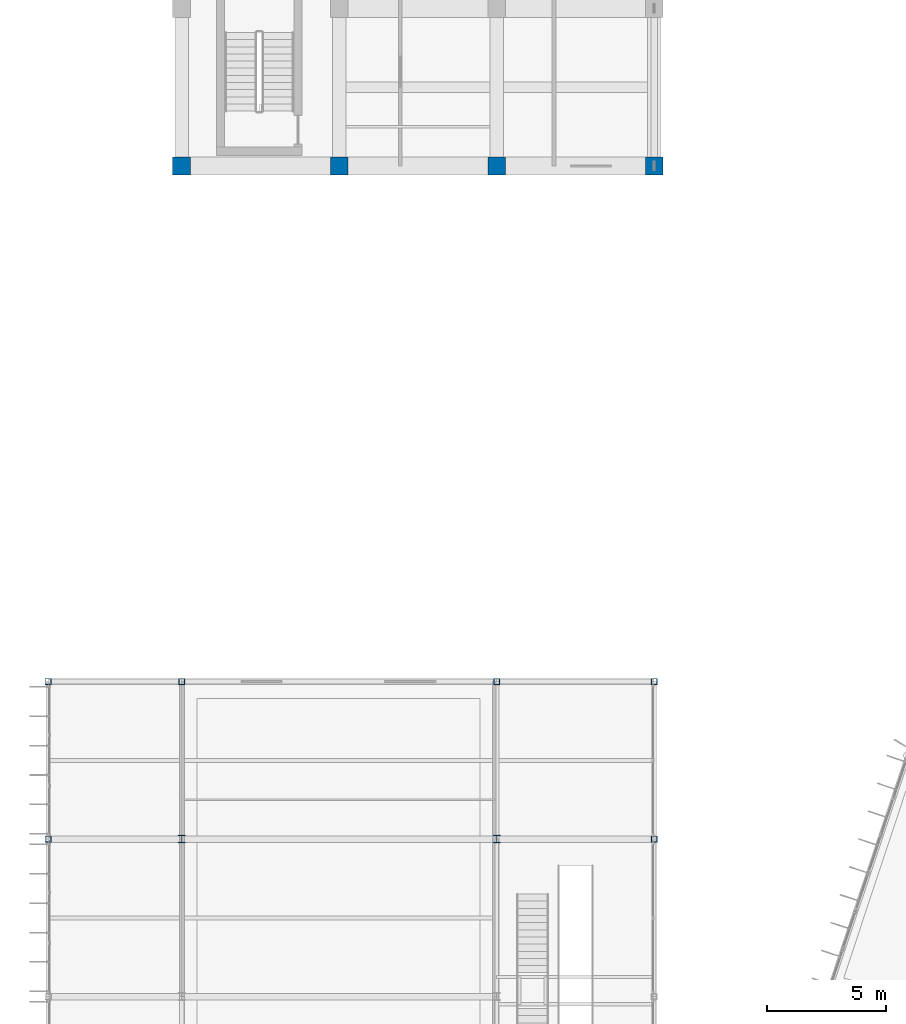
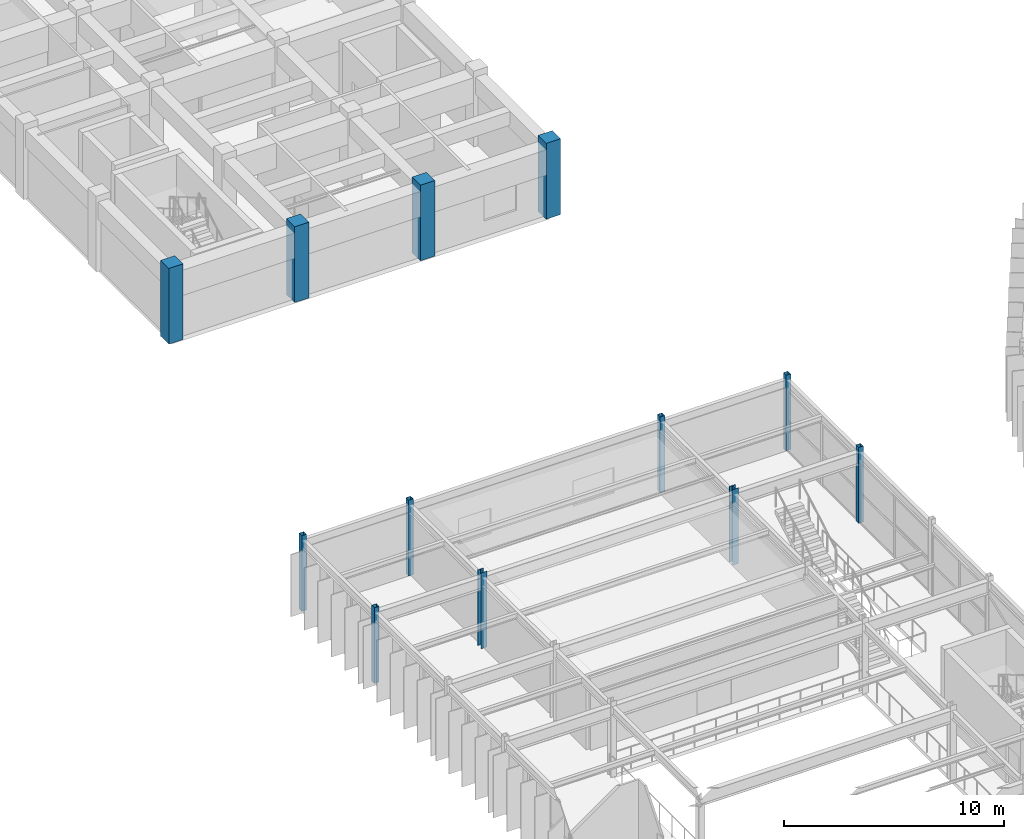
# One storey, part 11 of 148: 12 columns.
"""IFC4 building model written with IfcOpenShell, lengths in metres."""

from ifc_helpers import new_model, si_unit, direction, frame, origin, origin_2d, place, context, subcontext, project, spatial, rectangle, hollow_rectangle, i_section, extrude, material, material_profile, profile_set, type_object, element, save


model = new_model("IFC4")

# Units and contexts
model_context = context("Model", 3, precision=1e-05, world=origin(), true_north=direction((0.0, 1.0)))
body_context = subcontext(model_context, "Body", "Model", "MODEL_VIEW")
ifc_project = project(units=[si_unit("LENGTHUNIT", "METRE"), si_unit("AREAUNIT", "SQUARE_METRE"), si_unit("VOLUMEUNIT", "CUBIC_METRE"), si_unit("PLANEANGLEUNIT", "RADIAN"), si_unit("MASSUNIT", "GRAM", prefix="KILO")], contexts=[model_context])

# Site, building, storey
site_placement = place(None, origin())
site = spatial("IfcSite", under=ifc_project, at=site_placement, CompositionType="ELEMENT")
building_placement = place(site_placement, origin())
building = spatial("IfcBuilding", under=site, at=building_placement, Name="Karori Crest Natural Sciences Institute", CompositionType="ELEMENT")
storey_placement = place(building_placement, frame((0.0, 0.0, 4.89990234375)))
storey = spatial("IfcBuildingStorey", under=building, at=storey_placement, Name="L01", CompositionType="ELEMENT", Elevation=4.89990234375)

# Columns
ifc_material_1 = material(Name="Structural steel AS/NZS 3679.1 Grade 350", Category="steel")
ifc_material_profile_1 = material_profile(ifc_material_1, i_section(OverallWidth=0.306884765625, OverallDepth=0.31494140625, WebThickness=0.011962890625, FlangeThickness=0.018798828125, FilletRadius=0.01708984375, at=origin_2d()), Name="310UC118")
ifc_profile_set_1 = profile_set([ifc_material_profile_1], Name="Structural steel AS/NZS 3679.1 Grade 350")
column_type_1 = type_object("IfcColumnType", Name="CT-05", PredefinedType="COLUMN", material=ifc_profile_set_1)
for number, where, z_axis, x_axis, name in (
    (1, (7.39990234375, 66.800048828125, 0.0), (0.0, 0.0, 1.0), (1.0, 0.0, 0.0), "Column C-0611"),
    (2, (20.60009765625, 66.800048828125, 0.0), (0.0, 0.0, 1.0), (1.0, 0.0, 0.0), "Column C-0656"),
):
    element("IfcColumn", number, at=place(storey_placement, frame(where, z_axis=z_axis, x_axis=x_axis)), inside=storey, type_object=column_type_1, Name=name, PredefinedType="COLUMN", context=body_context, shape_type="SweptSolid", body=[
        extrude(i_section(OverallWidth=0.306884765625, OverallDepth=0.31494140625, WebThickness=0.011962890625, FlangeThickness=0.018798828125, FilletRadius=0.01708984375, at=origin_2d()), origin(), (0.0, 0.0, 1.0), 4.2001953125),
    ])
ifc_material_2 = material(Name="Hollow structural steel AS/NZS 1163 Grade C350", Category="steel")
ifc_material_profile_2 = material_profile(ifc_material_2, hollow_rectangle(XDim=0.25, YDim=0.25, WallThickness=0.012451171875, at=origin_2d()), Name="SHS250x250x12.5")
ifc_profile_set_2 = profile_set([ifc_material_profile_2], Name="Hollow structural steel AS/NZS 1163 Grade C350")
column_type_2 = type_object("IfcColumnType", Name="CT-12", PredefinedType="COLUMN", material=ifc_profile_set_2)
for number, where, z_axis, x_axis, name in (
    (3, (1.800048828125, 66.800048828125, 0.0), (0.0, 0.0, 1.0), (1.0, 0.0, 0.0), "Column C-0566"),
    (4, (1.800048828125, 73.39990234375, 0.0), (0.0, 0.0, 1.0), (1.0, 0.0, 0.0), "Column C-0571"),
    (5, (7.39990234375, 73.39990234375, 0.0), (0.0, 0.0, 1.0), (1.0, 0.0, 0.0), "Column C-0616"),
    (6, (20.60009765625, 73.39990234375, 0.0), (0.0, 0.0, 1.0), (1.0, 0.0, 0.0), "Column C-0661"),
    (7, (27.199951171875, 66.800048828125, 0.0), (0.0, 0.0, 1.0), (1.0, 0.0, 0.0), "Column C-0701"),
    (8, (27.199951171875, 73.39990234375, 0.0), (0.0, 0.0, 1.0), (1.0, 0.0, 0.0), "Column C-0706"),
):
    element("IfcColumn", number, at=place(storey_placement, frame(where, z_axis=z_axis, x_axis=x_axis)), inside=storey, type_object=column_type_2, Name=name, PredefinedType="COLUMN", context=body_context, shape_type="SweptSolid", body=[
        extrude(hollow_rectangle(XDim=0.25, YDim=0.25, WallThickness=0.012451171875, at=origin_2d()), origin(), (0.0, 0.0, 1.0), 4.2001953125),
    ])
ifc_material_3 = material(Name="Concrete 50 MPa", Category="concrete")
ifc_material_profile_3 = material_profile(ifc_material_3, rectangle(XDim=0.75, YDim=0.75, at=origin_2d()), Name="RC750x750")
ifc_profile_set_3 = profile_set([ifc_material_profile_3], Name="Concrete 50 MPa")
column_type_3 = type_object("IfcColumnType", Name="CT-18", PredefinedType="COLUMN", material=ifc_profile_set_3)
for number, where, z_axis, x_axis, name in (
    (9, (7.39990234375, 95.0, 0.0), (0.0, 0.0, 1.0), (1.0, 0.0, 0.0), "Column C-0711"),
    (10, (14.0, 95.0, 0.0), (0.0, 0.0, 1.0), (1.0, 0.0, 0.0), "Column C-0788"),
    (11, (20.60009765625, 95.0, 0.0), (0.0, 0.0, 1.0), (1.0, 0.0, 0.0), "Column C-0865"),
    (12, (27.199951171875, 95.0, 0.0), (0.0, 0.0, 1.0), (1.0, 0.0, 0.0), "Column C-0942"),
):
    element("IfcColumn", number, at=place(storey_placement, frame(where, z_axis=z_axis, x_axis=x_axis)), inside=storey, type_object=column_type_3, Name=name, PredefinedType="COLUMN", context=body_context, shape_type="SweptSolid", body=[
        extrude(rectangle(XDim=0.75, YDim=0.75, at=origin_2d()), origin(), (0.0, 0.0, 1.0), 4.2001953125),
    ])

save(model, "model.ifc")
